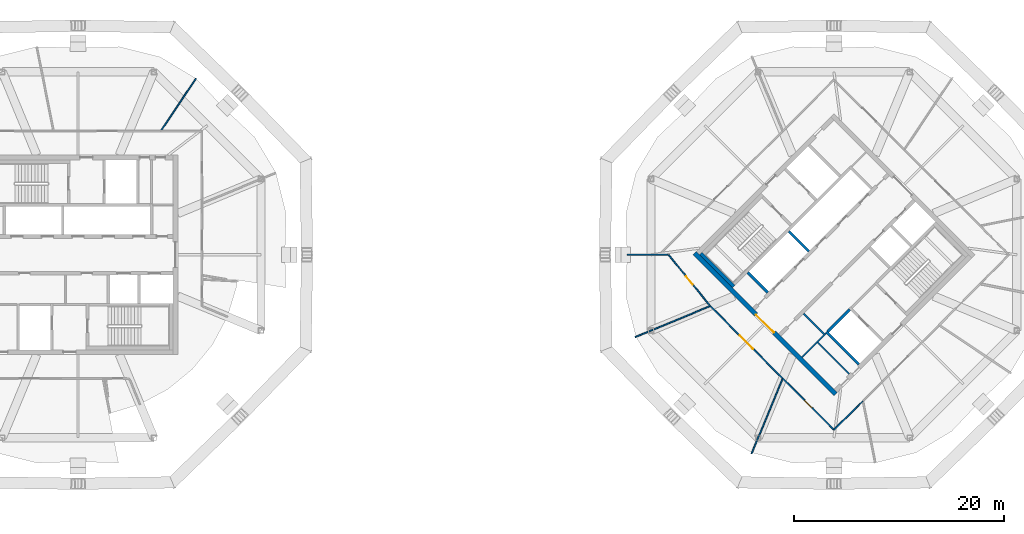
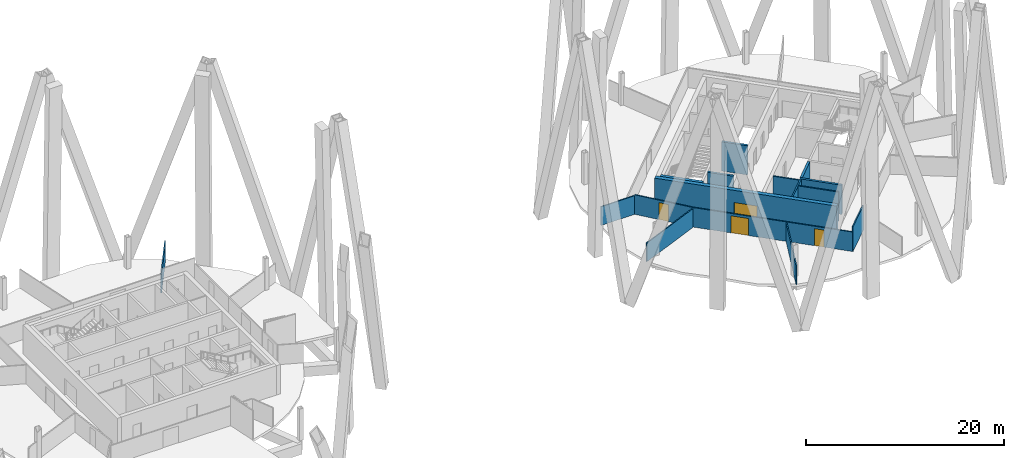
# One storey, part 6 of 11: 17 walls, 4 doors, 4 openings.
"""IFC4 building model written with IfcOpenShell, lengths in metres."""

import ifcopenshell
import ifcopenshell.guid

model = None  # the IFC model being written
_history = None  # IfcOwnerHistory: only IFC2X3 demands one
_inside = {}  # id of a spatial element -> (the spatial element, [elements in it])
_under = {}  # id of a project, library or spatial element -> (it, [spatial elements below it])
_declared = {}  # id of a project -> (the project, [libraries it declares])
_typed = {}  # id of a type object -> (the type object, [elements of that type])
_made_of = {}  # id of a material, layer set ... -> (it, [elements and type objects made of it])


def new_model(schema):
    """Start an empty IFC model of exactly this schema.

    Asked for "IFC4X3", IfcOpenShell would pick the latest addendum, in which some entities
    have other attributes; the version numbers below select the first issue.
    IFC2X3 requires an IfcOwnerHistory on every rooted entity: one is made here for all.
    """
    global model, _history
    if schema == "IFC4X3":
        model = ifcopenshell.file(schema_version=(4, 3, 0, 0))
    else:
        model = ifcopenshell.file(schema=schema)
    _inside.clear()
    _under.clear()
    _declared.clear()
    _typed.clear()
    _made_of.clear()
    _history = None
    if model.schema == "IFC2X3":
        org = make("IfcOrganization", Name="unknown")
        user = make(
            "IfcPersonAndOrganization",
            ThePerson=make("IfcPerson", FamilyName="unknown"),
            TheOrganization=org,
        )
        app = make(
            "IfcApplication",
            ApplicationDeveloper=org,
            Version="unknown",
            ApplicationFullName="unknown",
            ApplicationIdentifier="unknown",
        )
        _history = make(
            "IfcOwnerHistory",
            OwningUser=user,
            OwningApplication=app,
            ChangeAction="ADDED",
            CreationDate=0,
        )
    return model


def make(cls, **values):
    """One entity of the class cls with the attributes given. An attribute that is None is left unset."""
    return model.create_entity(
        cls, **{name: value for name, value in values.items() if value is not None}
    )


def rooted(cls, **values):
    """An entity with a GlobalId (a new one), such as an element, a storey or a relation."""
    return make(cls, GlobalId=ifcopenshell.guid.new(), OwnerHistory=_history, **values)


def si_unit(unit_type, name, prefix=None):
    """IfcSIUnit, for example si_unit("LENGTHUNIT", "METRE", prefix="MILLI")."""
    return make("IfcSIUnit", UnitType=unit_type, Prefix=prefix, Name=name)


def assignment(units):
    """IfcUnitAssignment: the units of a project."""
    return None if units is None else make("IfcUnitAssignment", Units=units)


def point(xyz):
    """IfcCartesianPoint."""
    return None if xyz is None else make("IfcCartesianPoint", Coordinates=xyz)


def direction(xyz):
    """IfcDirection."""
    return None if xyz is None else make("IfcDirection", DirectionRatios=xyz)


def frame(location, z_axis=None, x_axis=None):
    """IfcAxis2Placement3D, a coordinate frame: its origin and axes. An axis left out is left unset."""
    return make(
        "IfcAxis2Placement3D",
        Location=point(location),
        Axis=direction(z_axis),
        RefDirection=direction(x_axis),
    )


def frame_2d(location, x_axis=None):
    """IfcAxis2Placement2D, a coordinate frame in the plane: its origin and x axis."""
    return make(
        "IfcAxis2Placement2D", Location=point(location), RefDirection=direction(x_axis)
    )


def origin():
    """The frame at (0, 0, 0) with its axes left unset."""
    return frame((0.0, 0.0, 0.0))


def place(relative_to, where):
    """IfcLocalPlacement: puts the frame where relative to a parent placement (None: the world)."""
    return make(
        "IfcLocalPlacement", PlacementRelTo=relative_to, RelativePlacement=where
    )


def context(
    kind, dimensions, precision=None, world=None, true_north=None, identifier=None
):
    """IfcGeometricRepresentationContext, for example the 3D "Model" context."""
    return make(
        "IfcGeometricRepresentationContext",
        ContextIdentifier=identifier,
        ContextType=kind,
        CoordinateSpaceDimension=dimensions,
        Precision=precision,
        WorldCoordinateSystem=world,
        TrueNorth=true_north,
    )


def subcontext(parent, identifier, kind, view, scale=None):
    """IfcGeometricRepresentationSubContext, for example "Body" below "Model"."""
    return make(
        "IfcGeometricRepresentationSubContext",
        ContextIdentifier=identifier,
        ContextType=kind,
        ParentContext=parent,
        TargetScale=scale,
        TargetView=view,
    )


def project(units=None, contexts=None):
    """IfcProject with its units and contexts."""
    return rooted(
        "IfcProject",
        Name="project",
        RepresentationContexts=contexts,
        UnitsInContext=assignment(units),
    )


def spatial(cls, under=None, at=None, **own):
    """A site, building, storey or space (cls), placed at a placement, below another one or the project."""
    s = rooted(cls, ObjectPlacement=at, **own)
    if under is not None:
        _under.setdefault(under.id(), (under, []))[1].append(s)
    return s


def profile(cls, at=None, kind="AREA", **sizes):
    """A parametric profile (cls). Its sizes go by their IFC names, for example OverallWidth=200.0."""
    return make(cls, ProfileType=kind, Position=at, **sizes)


def rectangle(**sizes):
    """IfcRectangleProfileDef."""
    return profile("IfcRectangleProfileDef", **sizes)


def extrude(swept, where, along, depth):
    """IfcExtrudedAreaSolid: the profile swept, set in the frame where, extruded along a direction by depth."""
    return make(
        "IfcExtrudedAreaSolid",
        SweptArea=swept,
        Position=where,
        ExtrudedDirection=direction(along),
        Depth=depth,
    )


def shape(context_of_items, identifier, shape_type, items):
    """IfcShapeRepresentation: the items that make up one representation, for example the "Body"."""
    return make(
        "IfcShapeRepresentation",
        ContextOfItems=context_of_items,
        RepresentationIdentifier=identifier,
        RepresentationType=shape_type,
        Items=items,
    )


def material(Name=None, Category=None):
    """IfcMaterial."""
    return make("IfcMaterial", Name=Name, Category=Category)


def layer(
    of_material, thickness, ventilated=None, Name=None, Category=None, Priority=None
):
    """IfcMaterialLayer: one layer of a wall or slab, of a material (None: an air gap)."""
    return make(
        "IfcMaterialLayer",
        Material=of_material,
        LayerThickness=thickness,
        IsVentilated=ventilated,
        Name=Name,
        Category=Category,
        Priority=Priority,
    )


def layer_set(layers, Name=None):
    """IfcMaterialLayerSet."""
    return make("IfcMaterialLayerSet", MaterialLayers=layers, LayerSetName=Name)


def made_of(thing, what):
    """Note that an element or type object is made of a material, layer set ...; save() writes the relation."""
    if what is not None:
        _made_of.setdefault(what.id(), (what, []))[1].append(thing)
    return thing


def type_object(cls, material=None, **own):
    """A type object (cls), such as IfcWallType, which elements share."""
    return made_of(rooted(cls, **own), material)


def element(
    cls,
    number,
    at=None,
    inside=None,
    cuts=None,
    type_object=None,
    material=None,
    context=None,
    identifier="Body",
    shape_type=None,
    held_by="IfcProductDefinitionShape",
    body=None,
    shapes=None,
    **own,
):
    """One element of the class cls, such as IfcWall. Its Tag is "e" and its number.

    at: its placement. inside: the storey or other place that contains it. cuts: it is an
    opening in that element (IfcRelVoidsElement). A single representation is given by context,
    identifier, shape_type and body (its items); several are given by shapes. held_by: the class
    of the entity that holds the representations. save() writes the other relations.
    """
    e = rooted(cls, Tag="e%d" % number, ObjectPlacement=at, **own)
    if body is not None:
        shapes = [shape(context, identifier, shape_type, body)]
    if shapes is not None:
        e.Representation = make(held_by, Representations=shapes)
    if inside is not None:
        _inside.setdefault(inside.id(), (inside, []))[1].append(e)
    if cuts is not None:
        rooted(
            "IfcRelVoidsElement", RelatingBuildingElement=cuts, RelatedOpeningElement=e
        )
    if type_object is not None:
        _typed.setdefault(type_object.id(), (type_object, []))[1].append(e)
    return made_of(e, material)


def fill(opening, filler):
    """IfcRelFillsElement: the door or window that sits in an opening."""
    return rooted(
        "IfcRelFillsElement",
        RelatingOpeningElement=opening,
        RelatedBuildingElement=filler,
    )


def aggregate(whole, parts):
    """IfcRelAggregates: a whole, such as a stair, and the parts it consists of."""
    return rooted("IfcRelAggregates", RelatingObject=whole, RelatedObjects=parts)


def save(model, path):
    """Write the relations noted so far, then the file.

    IfcRelAggregates (storeys below a building ...), IfcRelContainedInSpatialStructure (elements
    in a storey), IfcRelDefinesByType, IfcRelAssociatesMaterial and IfcRelDeclares: one each for
    every whole, place, type object, material and project.
    """
    for whole, parts in _under.values():
        aggregate(whole, parts)
    for where, things in _inside.values():
        rooted(
            "IfcRelContainedInSpatialStructure",
            RelatedElements=things,
            RelatingStructure=where,
        )
    for kind, things in _typed.values():
        rooted("IfcRelDefinesByType", RelatedObjects=things, RelatingType=kind)
    for what, things in _made_of.values():
        rooted("IfcRelAssociatesMaterial", RelatedObjects=things, RelatingMaterial=what)
    for by, libraries in _declared.values():
        rooted("IfcRelDeclares", RelatingContext=by, RelatedDefinitions=libraries)
    model.write(path)


model = new_model("IFC4")

# Units and contexts
model_context = context("Model", 3, precision=1e-05, world=origin(), true_north=direction((0.0, 1.0)))
body_context = subcontext(model_context, "Body", "Model", "MODEL_VIEW")
ifc_project = project(units=[si_unit("LENGTHUNIT", "METRE"), si_unit("AREAUNIT", "SQUARE_METRE"), si_unit("VOLUMEUNIT", "CUBIC_METRE"), si_unit("PLANEANGLEUNIT", "RADIAN"), si_unit("MASSUNIT", "GRAM", prefix="KILO")], contexts=[model_context])

# Site, building, storey
site_placement = place(None, origin())
site = spatial("IfcSite", under=ifc_project, at=site_placement, CompositionType="ELEMENT")
building_placement = place(site_placement, origin())
building = spatial("IfcBuilding", under=site, at=building_placement, Name="Ogive Gate Towers", CompositionType="ELEMENT")
storey_placement = place(building_placement, frame((0.0, 0.0, 244.5)))
storey = spatial("IfcBuildingStorey", under=building, at=storey_placement, Name="L58", CompositionType="ELEMENT", Elevation=244.5)

# Wall, opening, door
ifc_material_1 = material(Name="Concrete C60/75", Category="concrete")
ifc_layer_1 = layer(ifc_material_1, 0.449951171875)
ifc_layer_set_1 = layer_set([ifc_layer_1], Name="Core wall 450 mm")
wall_type_1 = type_object("IfcWallType", Name="Core wall 450 mm", PredefinedType="SHEAR", material=ifc_layer_set_1)
wall_1_placement = place(storey_placement, frame((36.1591796875, -13.27587890625, 0.0), z_axis=(0.0, 0.0, 1.0), x_axis=(-0.707106781187, 0.707106781187, 0.0)))
wall_1 = element("IfcWall", 1, at=wall_1_placement, inside=storey, type_object=wall_type_1, Name="T2 L58 Core wall 450 mm", PredefinedType="SHEAR", context=body_context, shape_type="SweptSolid", body=[
    extrude(rectangle(XDim=19.0, YDim=0.449951171875, at=frame_2d((9.5, 0.0))), origin(), (0.0, 0.0, 1.0), 3.60009765625),
])
opening_1_placement = place(wall_1_placement, frame((8.300048828125, 0.0, 0.0)))
opening_1 = element("IfcOpeningElement", 2, at=opening_1_placement, cuts=wall_1, Name="Opening KD-T2-L58-01", PredefinedType="OPENING", context=body_context, shape_type="SweptSolid", body=[
    extrude(rectangle(XDim=2.39990234375, YDim=2.10009765625, at=frame_2d((1.199951171875, 1.050048828125))), frame((0.0, 0.23486328125, 0.0), z_axis=(0.0, -1.0, 0.0), x_axis=(1.0, 0.0, 0.0)), (0.0, 0.0, 1.0), 0.469970703125),
])
ifc_material_2 = material(Name="Steel fire door", Category="steel")
door_type_1 = type_object("IfcDoorType", Name="Core double door FD60S 2400 x 2100", OperationType="DOUBLE_DOOR_SINGLE_SWING", PredefinedType="DOOR", material=ifc_material_2)
door_1_placement = place(opening_1_placement, origin())
door_1 = element("IfcDoor", 3, at=door_1_placement, inside=storey, type_object=door_type_1, Name="T2 L58 Core door double", OperationType="DOUBLE_DOOR_SINGLE_SWING", OverallHeight=2.10009765625, OverallWidth=2.39990234375, PredefinedType="DOOR", context=body_context, shape_type="SweptSolid", body=[
    extrude(rectangle(XDim=2.39990234375, YDim=2.10009765625, at=frame_2d((1.199951171875, 1.050048828125))), frame((0.0, 0.02490234375, 0.0), z_axis=(0.0, -1.0, 0.0), x_axis=(1.0, 0.0, 0.0)), (0.0, 0.0, 1.0), 0.050048828125),
])
fill(opening_1, door_1)

# Walls
ifc_material_3 = material(Name="Gypsum board partition")
ifc_layer_2 = layer(ifc_material_3, 0.125)
ifc_layer_set_2 = layer_set([ifc_layer_2], Name="Partition 125")
wall_type_2 = type_object("IfcWallType", Name="Partition 125", PredefinedType="PARTITIONING", material=ifc_layer_set_2)
wall_2_placement = place(storey_placement, frame((-24.764892578125, 16.798583984375, 0.0), z_axis=(0.0, 0.0, 1.0), x_axis=(-0.555934527452, -0.831226083077, 0.0)))
element("IfcWall", 4, at=wall_2_placement, inside=storey, type_object=wall_type_2, Name="Partition T1-L58-002", PredefinedType="PARTITIONING", context=body_context, shape_type="SweptSolid", body=[
    extrude(rectangle(XDim=5.9765625, YDim=0.125, at=frame_2d((2.98828125, 0.0))), origin(), (0.0, 0.0, 1.0), 2.300048828125),
])
wall_3_placement = place(storey_placement, frame((16.291015625, 0.0, 0.0), z_axis=(0.0, 0.0, 1.0), x_axis=(1.0, 0.0, 0.0)))
element("IfcWall", 5, at=wall_3_placement, inside=storey, type_object=wall_type_2, Name="Partition T2-L58-004", PredefinedType="PARTITIONING", context=body_context, shape_type="SweptSolid", body=[
    extrude(rectangle(XDim=3.896484375, YDim=0.125, at=frame_2d((1.9482421875, 0.0))), origin(), (0.0, 0.0, 1.0), 2.300048828125),
])
for number, where, z_axis, x_axis, name in (
    (6, (17.06201171875, -7.844482421875, 0.0), (0.0, 0.0, 1.0), (0.923876663898, 0.382690357736, 0.0), "Partition T2-L58-005"),
    (7, (28.155517578125, -18.93798828125, 0.0), (0.0, 0.0, 1.0), (0.382690357736, 0.923876663898, 0.0), "Partition T2-L58-006"),
):
    element("IfcWall", number, at=place(storey_placement, frame(where, z_axis=z_axis, x_axis=x_axis)), inside=storey, type_object=wall_type_2, Name=name, PredefinedType="PARTITIONING", context=body_context, shape_type="SweptSolid", body=[
        extrude(rectangle(XDim=7.684814453125, YDim=0.125, at=frame_2d((3.84228515625, 0.0))), origin(), (0.0, 0.0, 1.0), 2.300048828125),
    ])

# Wall, opening, door
wall_4_placement = place(storey_placement, frame((20.25, 0.0, 0.0), z_axis=(0.0, 0.0, 1.0), x_axis=(0.631049861977, -0.77574227144, 0.0)))
wall_4 = element("IfcWall", 8, at=wall_4_placement, inside=storey, type_object=wall_type_2, Name="Partition T2-L58-011", PredefinedType="PARTITIONING", context=body_context, shape_type="SweptSolid", body=[
    extrude(rectangle(XDim=6.290283203125, YDim=0.125, at=frame_2d((3.14501953125, 0.0))), origin(), (0.0, 0.0, 1.0), 2.39990234375),
])
opening_2_placement = place(wall_4_placement, frame((2.64501953125, 0.0, 0.0)))
opening_2 = element("IfcOpeningElement", 9, at=opening_2_placement, cuts=wall_4, Name="Opening T2-L58-D02", PredefinedType="OPENING", context=body_context, shape_type="SweptSolid", body=[
    extrude(rectangle(XDim=1.0, YDim=2.10009765625, at=frame_2d((0.5, 1.050048828125))), frame((0.0, 0.072509765625, 0.0), z_axis=(0.0, -1.0, 0.0), x_axis=(1.0, 0.0, 0.0)), (0.0, 0.0, 1.0), 0.14501953125),
])
ifc_material_4 = material(Name="Timber door", Category="wood")
door_type_2 = type_object("IfcDoorType", Name="Door 1000", OperationType="NOTDEFINED", PredefinedType="DOOR", material=ifc_material_4)
door_2_placement = place(opening_2_placement, origin())
door_2 = element("IfcDoor", 10, at=door_2_placement, inside=storey, type_object=door_type_2, Name="Door T2-L58-D02", OperationType="SINGLE_SWING_RIGHT", OverallHeight=2.10009765625, OverallWidth=1.0, PredefinedType="DOOR", context=body_context, shape_type="SweptSolid", body=[
    extrude(rectangle(XDim=1.0, YDim=2.10009765625, at=frame_2d((0.5, 1.050048828125))), frame((0.0, 0.02490234375, 0.0), z_axis=(0.0, -1.0, 0.0), x_axis=(1.0, 0.0, 0.0)), (0.0, 0.0, 1.0), 0.050048828125),
])
fill(opening_2, door_2)

wall_5_placement = place(storey_placement, frame((24.219482421875, -4.879638671875, 0.0), z_axis=(0.0, 0.0, 1.0), x_axis=(0.707106781187, -0.707106781187, 0.0)))
wall_5 = element("IfcWall", 11, at=wall_5_placement, inside=storey, type_object=wall_type_2, Name="Partition T2-L58-012", PredefinedType="PARTITIONING", context=body_context, shape_type="SweptSolid", body=[
    extrude(rectangle(XDim=9.75927734375, YDim=0.125, at=frame_2d((4.879638671875, 0.0))), origin(), (0.0, 0.0, 1.0), 2.39990234375),
])
opening_3_placement = place(wall_5_placement, frame((3.97998046875, 0.0, 0.0)))
opening_3 = element("IfcOpeningElement", 12, at=opening_3_placement, cuts=wall_5, Name="Opening T2-L58-D03", PredefinedType="OPENING", context=body_context, shape_type="SweptSolid", body=[
    extrude(rectangle(XDim=1.800048828125, YDim=2.10009765625, at=frame_2d((0.89990234375, 1.050048828125))), frame((0.0, 0.072509765625, 0.0), z_axis=(0.0, -1.0, 0.0), x_axis=(1.0, 0.0, 0.0)), (0.0, 0.0, 1.0), 0.14501953125),
])
door_type_3 = type_object("IfcDoorType", Name="Door pair 1800", OperationType="NOTDEFINED", PredefinedType="DOOR", material=ifc_material_4)
door_3_placement = place(opening_3_placement, origin())
door_3 = element("IfcDoor", 13, at=door_3_placement, inside=storey, type_object=door_type_3, Name="Door T2-L58-D03", OperationType="DOUBLE_DOOR_DOUBLE_SWING", OverallHeight=2.10009765625, OverallWidth=1.800048828125, PredefinedType="DOOR", context=body_context, shape_type="SweptSolid", body=[
    extrude(rectangle(XDim=1.800048828125, YDim=2.10009765625, at=frame_2d((0.89990234375, 1.050048828125))), frame((0.0, 0.02490234375, 0.0), z_axis=(0.0, -1.0, 0.0), x_axis=(1.0, 0.0, 0.0)), (0.0, 0.0, 1.0), 0.050048828125),
])
fill(opening_3, door_3)

wall_6_placement = place(storey_placement, frame((31.120361328125, -11.780517578125, 0.0), z_axis=(0.0, 0.0, 1.0), x_axis=(0.70715985068, -0.70705370771, 0.0)))
wall_6 = element("IfcWall", 14, at=wall_6_placement, inside=storey, type_object=wall_type_2, Name="Partition T2-L58-013", PredefinedType="PARTITIONING", context=body_context, shape_type="SweptSolid", body=[
    extrude(rectangle(XDim=6.900390625, YDim=0.125, at=frame_2d((3.4501953125, 0.0))), origin(), (0.0, 0.0, 1.0), 2.39990234375),
])
opening_4_placement = place(wall_6_placement, frame((2.949951171875, 0.0, 0.0)))
opening_4 = element("IfcOpeningElement", 15, at=opening_4_placement, cuts=wall_6, Name="Opening T2-L58-D04", PredefinedType="OPENING", context=body_context, shape_type="SweptSolid", body=[
    extrude(rectangle(XDim=1.0, YDim=2.10009765625, at=frame_2d((0.5, 1.050048828125))), frame((0.0, 0.072509765625, 0.0), z_axis=(0.0, -1.0, 0.0), x_axis=(1.0, 0.0, 0.0)), (0.0, 0.0, 1.0), 0.14501953125),
])
door_4_placement = place(opening_4_placement, origin())
door_4 = element("IfcDoor", 16, at=door_4_placement, inside=storey, type_object=door_type_2, Name="Door T2-L58-D04", OperationType="SINGLE_SWING_RIGHT", OverallHeight=2.10009765625, OverallWidth=1.0, PredefinedType="DOOR", context=body_context, shape_type="SweptSolid", body=[
    extrude(rectangle(XDim=1.0, YDim=2.10009765625, at=frame_2d((0.5, 1.050048828125))), frame((0.0, 0.02490234375, 0.0), z_axis=(0.0, -1.0, 0.0), x_axis=(1.0, 0.0, 0.0)), (0.0, 0.0, 1.0), 0.050048828125),
])
fill(opening_4, door_4)

# Walls
wall_7_placement = place(storey_placement, frame((36.0, -16.659423828125, 0.0), z_axis=(0.0, 0.0, 1.0), x_axis=(0.711460203282, 0.702726389959, 0.0)))
element("IfcWall", 17, at=wall_7_placement, inside=storey, type_object=wall_type_2, Name="Partition T2-L58-014", PredefinedType="PARTITIONING", context=body_context, shape_type="SweptSolid", body=[
    extrude(rectangle(XDim=3.885498046875, YDim=0.125, at=frame_2d((1.94287109375, 0.0))), origin(), (0.0, 0.0, 1.0), 3.050048828125),
])
ifc_layer_3 = layer(ifc_material_3, 0.14990234375)
ifc_layer_set_3 = layer_set([ifc_layer_3], Name="Room partition 150 mm")
wall_type_3 = type_object("IfcWallType", Name="Room partition 150 mm", PredefinedType="PARTITIONING", material=ifc_layer_set_3)
wall_8_placement = place(storey_placement, frame((32.95947265625, -9.758056640625, 0.0), z_axis=(0.0, 0.0, 1.0), x_axis=(0.707144631829, 0.707068928518, 0.0)))
element("IfcWall", 18, at=wall_8_placement, inside=storey, type_object=wall_type_3, Name="T2 L58 Room partition 150 mm", PredefinedType="PARTITIONING", context=body_context, shape_type="SweptSolid", body=[
    extrude(rectangle(XDim=3.224853515625, YDim=0.14990234375, at=frame_2d((1.6123046875, 0.0))), origin(), (0.0, 0.0, 1.0), 3.60009765625),
])
wall_9_placement = place(storey_placement, frame((37.44970703125, -11.34912109375, 0.0), z_axis=(0.0, 0.0, 1.0), x_axis=(-0.707135671578, 0.707077889614, 0.0)))
element("IfcWall", 19, at=wall_9_placement, inside=storey, type_object=wall_type_3, Name="T2 L58 Room partition 150 mm", PredefinedType="PARTITIONING", context=body_context, shape_type="SweptSolid", body=[
    extrude(rectangle(XDim=4.22509765625, YDim=0.14990234375, at=frame_2d((2.112548828125, 0.0))), origin(), (0.0, 0.0, 1.0), 3.60009765625),
])
wall_10_placement = place(storey_placement, frame((35.06298828125, -7.54833984375, 0.0), z_axis=(0.0, 0.0, 1.0), x_axis=(-0.707106781187, 0.707106781187, 0.0)))
element("IfcWall", 20, at=wall_10_placement, inside=storey, type_object=wall_type_3, Name="T2 L58 Room partition 150 mm", PredefinedType="PARTITIONING", context=body_context, shape_type="SweptSolid", body=[
    extrude(rectangle(XDim=2.75, YDim=0.14990234375, at=frame_2d((1.375, 0.0))), origin(), (0.0, 0.0, 1.0), 3.60009765625),
])
ifc_layer_4 = layer(ifc_material_1, 0.25)
ifc_layer_set_4 = layer_set([ifc_layer_4], Name="Shaft wall 250 mm")
wall_type_4 = type_object("IfcWallType", Name="Shaft wall 250 mm", PredefinedType="SHEAR", material=ifc_layer_set_4)
wall_11_placement = place(storey_placement, frame((35.41650390625, -7.30078125, 0.0), z_axis=(0.0, 0.0, 1.0), x_axis=(0.707148157867, 0.707065402085, 0.0)))
element("IfcWall", 21, at=wall_11_placement, inside=storey, type_object=wall_type_4, Name="T2 L58 Shaft wall 250 mm", PredefinedType="SHEAR", context=body_context, shape_type="SweptSolid", body=[
    extrude(rectangle(XDim=2.9501953125, YDim=0.25, at=frame_2d((1.47509765625, 0.0))), origin(), (0.0, 0.0, 1.0), 3.60009765625),
])
wall_12_placement = place(storey_placement, frame((29.689208984375, -3.588623046875, 0.0), z_axis=(0.0, 0.0, 1.0), x_axis=(-0.707151988282, 0.707061571201, 0.0)))
element("IfcWall", 22, at=wall_12_placement, inside=storey, type_object=wall_type_4, Name="T2 L58 Shaft wall 250 mm", PredefinedType="SHEAR", context=body_context, shape_type="SweptSolid", body=[
    extrude(rectangle(XDim=2.7001953125, YDim=0.25, at=frame_2d((1.35009765625, 0.0))), origin(), (0.0, 0.0, 1.0), 3.60009765625),
])
wall_13_placement = place(storey_placement, frame((38.368896484375, -10.4296875, 0.0), z_axis=(0.0, 0.0, 1.0), x_axis=(-0.707134682099, 0.707078879173, 0.0)))
element("IfcWall", 23, at=wall_13_placement, inside=storey, type_object=wall_type_4, Name="T2 L58 Shaft wall 250 mm", PredefinedType="SHEAR", context=body_context, shape_type="SweptSolid", body=[
    extrude(rectangle(XDim=4.375, YDim=0.25, at=frame_2d((2.1875, 0.0))), origin(), (0.0, 0.0, 1.0), 3.60009765625),
])
wall_14_placement = place(storey_placement, frame((33.613525390625, 0.3359375, 0.0), z_axis=(0.0, 0.0, 1.0), x_axis=(-0.707106781187, 0.707106781187, 0.0)))
element("IfcWall", 24, at=wall_14_placement, inside=storey, type_object=wall_type_4, Name="T2 L58 Shaft wall 250 mm", PredefinedType="SHEAR", context=body_context, shape_type="SweptSolid", body=[
    extrude(rectangle(XDim=2.699951171875, YDim=0.25, at=frame_2d((1.35009765625, 0.0))), origin(), (0.0, 0.0, 1.0), 3.60009765625),
])
ifc_layer_5 = layer(ifc_material_1, 0.35009765625)
ifc_layer_set_5 = layer_set([ifc_layer_5], Name="Stair wall 350 mm")
wall_type_5 = type_object("IfcWallType", Name="Stair wall 350 mm", PredefinedType="SHEAR", material=ifc_layer_set_5)
wall_15_placement = place(storey_placement, frame((26.4541015625, -3.005126953125, 0.0), z_axis=(0.0, 0.0, 1.0), x_axis=(-0.707106781187, 0.707106781187, 0.0)))
element("IfcWall", 25, at=wall_15_placement, inside=storey, type_object=wall_type_5, Name="T2 L58 Stair wall 350 mm", PredefinedType="SHEAR", context=body_context, shape_type="SweptSolid", body=[
    extrude(rectangle(XDim=4.425048828125, YDim=0.35009765625, at=frame_2d((2.21240234375, 0.0))), origin(), (0.0, 0.0, 1.0), 3.60009765625),
])

save(model, "model.ifc")
